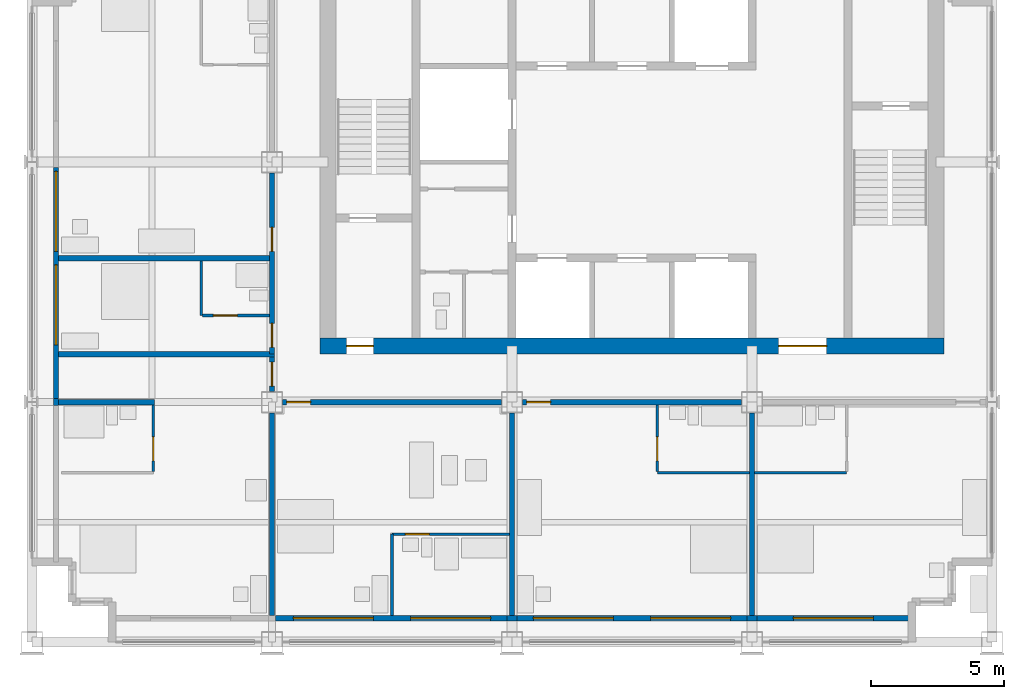
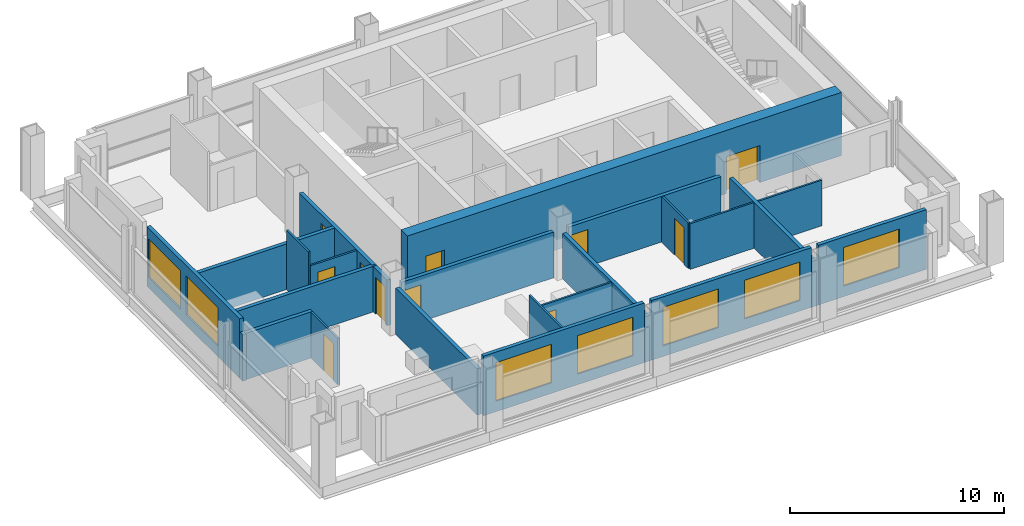
# One storey, part 6 of 11: 26 walls, 11 doors, 7 windows, 18 openings.
"""IFC4 building model written with IfcOpenShell, lengths in metres."""

import ifcopenshell
import ifcopenshell.guid

model = None  # the IFC model being written
_history = None  # IfcOwnerHistory: only IFC2X3 demands one
_inside = {}  # id of a spatial element -> (the spatial element, [elements in it])
_under = {}  # id of a project, library or spatial element -> (it, [spatial elements below it])
_declared = {}  # id of a project -> (the project, [libraries it declares])
_typed = {}  # id of a type object -> (the type object, [elements of that type])
_made_of = {}  # id of a material, layer set ... -> (it, [elements and type objects made of it])


def new_model(schema):
    """Start an empty IFC model of exactly this schema.

    Asked for "IFC4X3", IfcOpenShell would pick the latest addendum, in which some entities
    have other attributes; the version numbers below select the first issue.
    IFC2X3 requires an IfcOwnerHistory on every rooted entity: one is made here for all.
    """
    global model, _history
    if schema == "IFC4X3":
        model = ifcopenshell.file(schema_version=(4, 3, 0, 0))
    else:
        model = ifcopenshell.file(schema=schema)
    _inside.clear()
    _under.clear()
    _declared.clear()
    _typed.clear()
    _made_of.clear()
    _history = None
    if model.schema == "IFC2X3":
        org = make("IfcOrganization", Name="unknown")
        user = make(
            "IfcPersonAndOrganization",
            ThePerson=make("IfcPerson", FamilyName="unknown"),
            TheOrganization=org,
        )
        app = make(
            "IfcApplication",
            ApplicationDeveloper=org,
            Version="unknown",
            ApplicationFullName="unknown",
            ApplicationIdentifier="unknown",
        )
        _history = make(
            "IfcOwnerHistory",
            OwningUser=user,
            OwningApplication=app,
            ChangeAction="ADDED",
            CreationDate=0,
        )
    return model


def make(cls, **values):
    """One entity of the class cls with the attributes given. An attribute that is None is left unset."""
    return model.create_entity(
        cls, **{name: value for name, value in values.items() if value is not None}
    )


def rooted(cls, **values):
    """An entity with a GlobalId (a new one), such as an element, a storey or a relation."""
    return make(cls, GlobalId=ifcopenshell.guid.new(), OwnerHistory=_history, **values)


def si_unit(unit_type, name, prefix=None):
    """IfcSIUnit, for example si_unit("LENGTHUNIT", "METRE", prefix="MILLI")."""
    return make("IfcSIUnit", UnitType=unit_type, Prefix=prefix, Name=name)


def assignment(units):
    """IfcUnitAssignment: the units of a project."""
    return None if units is None else make("IfcUnitAssignment", Units=units)


def point(xyz):
    """IfcCartesianPoint."""
    return None if xyz is None else make("IfcCartesianPoint", Coordinates=xyz)


def direction(xyz):
    """IfcDirection."""
    return None if xyz is None else make("IfcDirection", DirectionRatios=xyz)


def frame(location, z_axis=None, x_axis=None):
    """IfcAxis2Placement3D, a coordinate frame: its origin and axes. An axis left out is left unset."""
    return make(
        "IfcAxis2Placement3D",
        Location=point(location),
        Axis=direction(z_axis),
        RefDirection=direction(x_axis),
    )


def frame_2d(location, x_axis=None):
    """IfcAxis2Placement2D, a coordinate frame in the plane: its origin and x axis."""
    return make(
        "IfcAxis2Placement2D", Location=point(location), RefDirection=direction(x_axis)
    )


def origin():
    """The frame at (0, 0, 0) with its axes left unset."""
    return frame((0.0, 0.0, 0.0))


def place(relative_to, where):
    """IfcLocalPlacement: puts the frame where relative to a parent placement (None: the world)."""
    return make(
        "IfcLocalPlacement", PlacementRelTo=relative_to, RelativePlacement=where
    )


def context(
    kind, dimensions, precision=None, world=None, true_north=None, identifier=None
):
    """IfcGeometricRepresentationContext, for example the 3D "Model" context."""
    return make(
        "IfcGeometricRepresentationContext",
        ContextIdentifier=identifier,
        ContextType=kind,
        CoordinateSpaceDimension=dimensions,
        Precision=precision,
        WorldCoordinateSystem=world,
        TrueNorth=true_north,
    )


def subcontext(parent, identifier, kind, view, scale=None):
    """IfcGeometricRepresentationSubContext, for example "Body" below "Model"."""
    return make(
        "IfcGeometricRepresentationSubContext",
        ContextIdentifier=identifier,
        ContextType=kind,
        ParentContext=parent,
        TargetScale=scale,
        TargetView=view,
    )


def project(units=None, contexts=None):
    """IfcProject with its units and contexts."""
    return rooted(
        "IfcProject",
        Name="project",
        RepresentationContexts=contexts,
        UnitsInContext=assignment(units),
    )


def spatial(cls, under=None, at=None, **own):
    """A site, building, storey or space (cls), placed at a placement, below another one or the project."""
    s = rooted(cls, ObjectPlacement=at, **own)
    if under is not None:
        _under.setdefault(under.id(), (under, []))[1].append(s)
    return s


def profile(cls, at=None, kind="AREA", **sizes):
    """A parametric profile (cls). Its sizes go by their IFC names, for example OverallWidth=200.0."""
    return make(cls, ProfileType=kind, Position=at, **sizes)


def rectangle(**sizes):
    """IfcRectangleProfileDef."""
    return profile("IfcRectangleProfileDef", **sizes)


def extrude(swept, where, along, depth):
    """IfcExtrudedAreaSolid: the profile swept, set in the frame where, extruded along a direction by depth."""
    return make(
        "IfcExtrudedAreaSolid",
        SweptArea=swept,
        Position=where,
        ExtrudedDirection=direction(along),
        Depth=depth,
    )


def shape(context_of_items, identifier, shape_type, items):
    """IfcShapeRepresentation: the items that make up one representation, for example the "Body"."""
    return make(
        "IfcShapeRepresentation",
        ContextOfItems=context_of_items,
        RepresentationIdentifier=identifier,
        RepresentationType=shape_type,
        Items=items,
    )


def material(Name=None, Category=None):
    """IfcMaterial."""
    return make("IfcMaterial", Name=Name, Category=Category)


def layer(
    of_material, thickness, ventilated=None, Name=None, Category=None, Priority=None
):
    """IfcMaterialLayer: one layer of a wall or slab, of a material (None: an air gap)."""
    return make(
        "IfcMaterialLayer",
        Material=of_material,
        LayerThickness=thickness,
        IsVentilated=ventilated,
        Name=Name,
        Category=Category,
        Priority=Priority,
    )


def layer_set(layers, Name=None):
    """IfcMaterialLayerSet."""
    return make("IfcMaterialLayerSet", MaterialLayers=layers, LayerSetName=Name)


def made_of(thing, what):
    """Note that an element or type object is made of a material, layer set ...; save() writes the relation."""
    if what is not None:
        _made_of.setdefault(what.id(), (what, []))[1].append(thing)
    return thing


def type_object(cls, material=None, **own):
    """A type object (cls), such as IfcWallType, which elements share."""
    return made_of(rooted(cls, **own), material)


def element(
    cls,
    number,
    at=None,
    inside=None,
    cuts=None,
    type_object=None,
    material=None,
    context=None,
    identifier="Body",
    shape_type=None,
    held_by="IfcProductDefinitionShape",
    body=None,
    shapes=None,
    **own,
):
    """One element of the class cls, such as IfcWall. Its Tag is "e" and its number.

    at: its placement. inside: the storey or other place that contains it. cuts: it is an
    opening in that element (IfcRelVoidsElement). A single representation is given by context,
    identifier, shape_type and body (its items); several are given by shapes. held_by: the class
    of the entity that holds the representations. save() writes the other relations.
    """
    e = rooted(cls, Tag="e%d" % number, ObjectPlacement=at, **own)
    if body is not None:
        shapes = [shape(context, identifier, shape_type, body)]
    if shapes is not None:
        e.Representation = make(held_by, Representations=shapes)
    if inside is not None:
        _inside.setdefault(inside.id(), (inside, []))[1].append(e)
    if cuts is not None:
        rooted(
            "IfcRelVoidsElement", RelatingBuildingElement=cuts, RelatedOpeningElement=e
        )
    if type_object is not None:
        _typed.setdefault(type_object.id(), (type_object, []))[1].append(e)
    return made_of(e, material)


def fill(opening, filler):
    """IfcRelFillsElement: the door or window that sits in an opening."""
    return rooted(
        "IfcRelFillsElement",
        RelatingOpeningElement=opening,
        RelatedBuildingElement=filler,
    )


def aggregate(whole, parts):
    """IfcRelAggregates: a whole, such as a stair, and the parts it consists of."""
    return rooted("IfcRelAggregates", RelatingObject=whole, RelatedObjects=parts)


def save(model, path):
    """Write the relations noted so far, then the file.

    IfcRelAggregates (storeys below a building ...), IfcRelContainedInSpatialStructure (elements
    in a storey), IfcRelDefinesByType, IfcRelAssociatesMaterial and IfcRelDeclares: one each for
    every whole, place, type object, material and project.
    """
    for whole, parts in _under.values():
        aggregate(whole, parts)
    for where, things in _inside.values():
        rooted(
            "IfcRelContainedInSpatialStructure",
            RelatedElements=things,
            RelatingStructure=where,
        )
    for kind, things in _typed.values():
        rooted("IfcRelDefinesByType", RelatedObjects=things, RelatingType=kind)
    for what, things in _made_of.values():
        rooted("IfcRelAssociatesMaterial", RelatedObjects=things, RelatingMaterial=what)
    for by, libraries in _declared.values():
        rooted("IfcRelDeclares", RelatingContext=by, RelatedDefinitions=libraries)
    model.write(path)


model = new_model("IFC4")

# Units and contexts
model_context = context("Model", 3, precision=1e-05, world=origin(), true_north=direction((0.0, 1.0)))
body_context = subcontext(model_context, "Body", "Model", "MODEL_VIEW")
ifc_project = project(units=[si_unit("LENGTHUNIT", "METRE"), si_unit("AREAUNIT", "SQUARE_METRE"), si_unit("VOLUMEUNIT", "CUBIC_METRE"), si_unit("PLANEANGLEUNIT", "RADIAN"), si_unit("MASSUNIT", "GRAM", prefix="KILO")], contexts=[model_context])

# Site, building, storey
site_placement = place(None, origin())
site = spatial("IfcSite", under=ifc_project, at=site_placement, CompositionType="ELEMENT")
building_placement = place(site_placement, origin())
building = spatial("IfcBuilding", under=site, at=building_placement, Name="Loomwork Tower", CompositionType="ELEMENT")
storey_placement = place(building_placement, frame((0.0, 0.0, 248.199951171875)))
storey = spatial("IfcBuildingStorey", under=building, at=storey_placement, Name="L68", CompositionType="ELEMENT", Elevation=248.199951171875)

# Wall, openings, doors
ifc_material_1 = material(Name="Concrete 14000 psi (97 MPa)", Category="concrete")
ifc_layer_1 = layer(ifc_material_1, 0.60009765625)
ifc_layer_set_1 = layer_set([ifc_layer_1], Name="Core shear wall 600")
wall_type_1 = type_object("IfcWallType", Name="Core shear wall 600", PredefinedType="SHEAR", material=ifc_layer_set_1)
wall_1_placement = place(storey_placement, frame((10.800048828125, 11.10009765625, 0.0), z_axis=(0.0, 0.0, 1.0), x_axis=(1.0, 0.0, 0.0)))
wall_1 = element("IfcWall", 1, at=wall_1_placement, inside=storey, type_object=wall_type_1, Name="Core wall south L68", PredefinedType="SHEAR", context=body_context, shape_type="SweptSolid", body=[
    extrude(rectangle(XDim=23.39990234375, YDim=0.60009765625, at=frame_2d((11.699951171875, 0.0))), origin(), (0.0, 0.0, 1.0), 3.60009765625),
])
opening_1_placement = place(wall_1_placement, frame((1.0, 0.0, 0.0)))
opening_1 = element("IfcOpeningElement", 2, at=opening_1_placement, cuts=wall_1, Name="Opening D4", PredefinedType="OPENING", context=body_context, shape_type="SweptSolid", body=[
    extrude(rectangle(XDim=1.0, YDim=2.10009765625, at=frame_2d((0.5, 1.050048828125))), frame((0.0, 0.31005859375, 0.0), z_axis=(0.0, -1.0, 0.0), x_axis=(1.0, 0.0, 0.0)), (0.0, 0.0, 1.0), 0.6201171875),
])
opening_2_placement = place(wall_1_placement, frame((17.199951171875, 0.0, 0.0)))
opening_2 = element("IfcOpeningElement", 3, at=opening_2_placement, cuts=wall_1, Name="Opening D6", PredefinedType="OPENING", context=body_context, shape_type="SweptSolid", body=[
    extrude(rectangle(XDim=1.800048828125, YDim=2.10009765625, at=frame_2d((0.89990234375, 1.050048828125))), frame((0.0, 0.31005859375, 0.0), z_axis=(0.0, -1.0, 0.0), x_axis=(1.0, 0.0, 0.0)), (0.0, 0.0, 1.0), 0.6201171875),
])
ifc_material_2 = material(Name="Hollow metal door and frame")
door_type_1 = type_object("IfcDoorType", Name="Lobby passage double door 1800", OperationType="DOUBLE_DOOR_SINGLE_SWING", PredefinedType="DOOR", material=ifc_material_2)
door_1_placement = place(opening_2_placement, origin())
door_1 = element("IfcDoor", 4, at=door_1_placement, inside=storey, type_object=door_type_1, Name="Lobby passage door south", OperationType="DOUBLE_DOOR_SINGLE_SWING", OverallHeight=2.10009765625, OverallWidth=1.800048828125, PredefinedType="DOOR", context=body_context, shape_type="SweptSolid", body=[
    extrude(rectangle(XDim=1.800048828125, YDim=2.10009765625, at=frame_2d((0.89990234375, 1.050048828125))), frame((0.0, 0.02490234375, 0.0), z_axis=(0.0, -1.0, 0.0), x_axis=(1.0, 0.0, 0.0)), (0.0, 0.0, 1.0), 0.050048828125),
])
fill(opening_2, door_1)
ifc_material_3 = material(Name="Hollow metal door and frame")
door_type_2 = type_object("IfcDoorType", Name="Stair door 1000", OperationType="SINGLE_SWING_RIGHT", PredefinedType="DOOR", material=ifc_material_3)
door_2_placement = place(opening_1_placement, origin())
door_2 = element("IfcDoor", 5, at=door_2_placement, inside=storey, type_object=door_type_2, Name="Stair A vestibule door", OperationType="SINGLE_SWING_LEFT", OverallHeight=2.10009765625, OverallWidth=1.0, PredefinedType="DOOR", context=body_context, shape_type="SweptSolid", body=[
    extrude(rectangle(XDim=1.0, YDim=2.10009765625, at=frame_2d((0.5, 1.050048828125))), frame((0.0, 0.02490234375, 0.0), z_axis=(0.0, -1.0, 0.0), x_axis=(1.0, 0.0, 0.0)), (0.0, 0.0, 1.0), 0.050048828125),
])
fill(opening_1, door_2)

# Wall
ifc_material_4 = material(Name="Gypsum board on steel studs, one-hour", Category="steel")
ifc_layer_2 = layer(ifc_material_4, 0.199951171875)
ifc_layer_set_2 = layer_set([ifc_layer_2], Name="Corridor wall 200")
wall_type_2 = type_object("IfcWallType", Name="Corridor wall 200", PredefinedType="PARTITIONING", material=ifc_layer_set_2)
wall_2_placement = place(storey_placement, frame((1.0, 9.0, 0.0), z_axis=(0.0, 0.0, 1.0), x_axis=(1.0, 0.0, 0.0)))
element("IfcWall", 6, at=wall_2_placement, inside=storey, type_object=wall_type_2, Name="South corridor wall 1", PredefinedType="PARTITIONING", context=body_context, shape_type="SweptSolid", body=[
    extrude(rectangle(XDim=3.60009765625, YDim=0.199951171875, at=frame_2d((1.800048828125, 0.0))), origin(), (0.0, 0.0, 1.0), 2.637939453125),
])

# Wall, opening, door
wall_3_placement = place(storey_placement, frame((9.39990234375, 9.0, 0.0), z_axis=(0.0, 0.0, 1.0), x_axis=(1.0, 0.0, 0.0)))
wall_3 = element("IfcWall", 7, at=wall_3_placement, inside=storey, type_object=wall_type_2, Name="South corridor wall 2", PredefinedType="PARTITIONING", context=body_context, shape_type="SweptSolid", body=[
    extrude(rectangle(XDim=8.2001953125, YDim=0.199951171875, at=frame_2d((4.10009765625, 0.0))), origin(), (0.0, 0.0, 1.0), 2.60498046875),
])
opening_3_placement = place(wall_3_placement, frame((0.14990234375, 0.0, 0.0)))
opening_3 = element("IfcOpeningElement", 8, at=opening_3_placement, cuts=wall_3, Name="Opening D1", PredefinedType="OPENING", context=body_context, shape_type="SweptSolid", body=[
    extrude(rectangle(XDim=0.89990234375, YDim=2.10009765625, at=frame_2d((0.449951171875, 1.050048828125))), frame((0.0, 0.10986328125, 0.0), z_axis=(0.0, -1.0, 0.0), x_axis=(1.0, 0.0, 0.0)), (0.0, 0.0, 1.0), 0.219970703125),
])
ifc_material_5 = material(Name="Hollow metal door and frame")
door_type_3 = type_object("IfcDoorType", Name="Guest room entry door 900", OperationType="SINGLE_SWING_LEFT", PredefinedType="DOOR", material=ifc_material_5)
door_3_placement = place(opening_3_placement, frame((0.89990234375, 0.0, 0.0), z_axis=(0.0, 0.0, 1.0), x_axis=(-1.0, 0.0, 0.0)))
door_3 = element("IfcDoor", 9, at=door_3_placement, inside=storey, type_object=door_type_3, Name="Guest room entry door L68 2", OperationType="SINGLE_SWING_RIGHT", OverallHeight=2.10009765625, OverallWidth=0.89990234375, PredefinedType="DOOR", context=body_context, shape_type="SweptSolid", body=[
    extrude(rectangle(XDim=0.89990234375, YDim=2.10009765625, at=frame_2d((0.449951171875, 1.050048828125))), frame((0.0, 0.02490234375, 0.0), z_axis=(0.0, -1.0, 0.0), x_axis=(1.0, 0.0, 0.0)), (0.0, 0.0, 1.0), 0.050048828125),
])
fill(opening_3, door_3)

wall_4_placement = place(storey_placement, frame((18.39990234375, 9.0, 0.0), z_axis=(0.0, 0.0, 1.0), x_axis=(1.0, 0.0, 0.0)))
wall_4 = element("IfcWall", 10, at=wall_4_placement, inside=storey, type_object=wall_type_2, Name="South corridor wall 3", PredefinedType="PARTITIONING", context=body_context, shape_type="SweptSolid", body=[
    extrude(rectangle(XDim=8.2001953125, YDim=0.199951171875, at=frame_2d((4.10009765625, 0.0))), origin(), (0.0, 0.0, 1.0), 2.60498046875),
])
opening_4_placement = place(wall_4_placement, frame((0.14990234375, 0.0, 0.0)))
opening_4 = element("IfcOpeningElement", 11, at=opening_4_placement, cuts=wall_4, Name="Opening D1", PredefinedType="OPENING", context=body_context, shape_type="SweptSolid", body=[
    extrude(rectangle(XDim=0.89990234375, YDim=2.10009765625, at=frame_2d((0.449951171875, 1.050048828125))), frame((0.0, 0.10986328125, 0.0), z_axis=(0.0, -1.0, 0.0), x_axis=(1.0, 0.0, 0.0)), (0.0, 0.0, 1.0), 0.219970703125),
])
door_4_placement = place(opening_4_placement, frame((0.89990234375, 0.0, 0.0), z_axis=(0.0, 0.0, 1.0), x_axis=(-1.0, 0.0, 0.0)))
door_4 = element("IfcDoor", 12, at=door_4_placement, inside=storey, type_object=door_type_3, Name="Guest room entry door L68 3", OperationType="SINGLE_SWING_RIGHT", OverallHeight=2.10009765625, OverallWidth=0.89990234375, PredefinedType="DOOR", context=body_context, shape_type="SweptSolid", body=[
    extrude(rectangle(XDim=0.89990234375, YDim=2.10009765625, at=frame_2d((0.449951171875, 1.050048828125))), frame((0.0, 0.02490234375, 0.0), z_axis=(0.0, -1.0, 0.0), x_axis=(1.0, 0.0, 0.0)), (0.0, 0.0, 1.0), 0.050048828125),
])
fill(opening_4, door_4)

# Wall, openings, doors
wall_5_placement = place(storey_placement, frame((9.0, 10.800048828125, 0.0), z_axis=(0.0, 0.0, 1.0), x_axis=(0.0, 1.0, 0.0)))
wall_5 = element("IfcWall", 13, at=wall_5_placement, inside=storey, type_object=wall_type_2, Name="West corridor wall 1", PredefinedType="PARTITIONING", context=body_context, shape_type="SweptSolid", body=[
    extrude(rectangle(XDim=6.800048828125, YDim=0.199951171875, at=frame_2d((3.39990234375, 0.0))), origin(), (0.0, 0.0, 1.0), 2.60498046875),
])
opening_5_placement = place(wall_5_placement, frame((0.25, 0.0, 0.0)))
opening_5 = element("IfcOpeningElement", 14, at=opening_5_placement, cuts=wall_5, Name="Opening D1", PredefinedType="OPENING", context=body_context, shape_type="SweptSolid", body=[
    extrude(rectangle(XDim=0.89990234375, YDim=2.10009765625, at=frame_2d((0.449951171875, 1.050048828125))), frame((0.0, 0.10986328125, 0.0), z_axis=(0.0, -1.0, 0.0), x_axis=(1.0, 0.0, 0.0)), (0.0, 0.0, 1.0), 0.219970703125),
])
opening_6_placement = place(wall_5_placement, frame((3.85009765625, 0.0, 0.0)))
opening_6 = element("IfcOpeningElement", 15, at=opening_6_placement, cuts=wall_5, Name="Opening D1", PredefinedType="OPENING", context=body_context, shape_type="SweptSolid", body=[
    extrude(rectangle(XDim=0.89990234375, YDim=2.10009765625, at=frame_2d((0.449951171875, 1.050048828125))), frame((0.0, 0.10986328125, 0.0), z_axis=(0.0, -1.0, 0.0), x_axis=(1.0, 0.0, 0.0)), (0.0, 0.0, 1.0), 0.219970703125),
])
door_5_placement = place(opening_5_placement, origin())
door_5 = element("IfcDoor", 16, at=door_5_placement, inside=storey, type_object=door_type_3, Name="Guest room entry door L68 5", OperationType="SINGLE_SWING_LEFT", OverallHeight=2.10009765625, OverallWidth=0.89990234375, PredefinedType="DOOR", context=body_context, shape_type="SweptSolid", body=[
    extrude(rectangle(XDim=0.89990234375, YDim=2.10009765625, at=frame_2d((0.449951171875, 1.050048828125))), frame((0.0, 0.02490234375, 0.0), z_axis=(0.0, -1.0, 0.0), x_axis=(1.0, 0.0, 0.0)), (0.0, 0.0, 1.0), 0.050048828125),
])
fill(opening_5, door_5)
door_6_placement = place(opening_6_placement, origin())
door_6 = element("IfcDoor", 17, at=door_6_placement, inside=storey, type_object=door_type_3, Name="Guest room entry door L68 6", OperationType="SINGLE_SWING_LEFT", OverallHeight=2.10009765625, OverallWidth=0.89990234375, PredefinedType="DOOR", context=body_context, shape_type="SweptSolid", body=[
    extrude(rectangle(XDim=0.89990234375, YDim=2.10009765625, at=frame_2d((0.449951171875, 1.050048828125))), frame((0.0, 0.02490234375, 0.0), z_axis=(0.0, -1.0, 0.0), x_axis=(1.0, 0.0, 0.0)), (0.0, 0.0, 1.0), 0.050048828125),
])
fill(opening_6, door_6)

# Wall
wall_6_placement = place(storey_placement, frame((1.0, 10.800048828125, 0.0), z_axis=(0.0, 0.0, 1.0), x_axis=(1.0, 0.0, 0.0)))
element("IfcWall", 18, at=wall_6_placement, inside=storey, type_object=wall_type_2, Name="West band end wall S", PredefinedType="PARTITIONING", context=body_context, shape_type="SweptSolid", body=[
    extrude(rectangle(XDim=8.10009765625, YDim=0.199951171875, at=frame_2d((4.050048828125, 0.0))), origin(), (0.0, 0.0, 1.0), 2.60400390625),
])

# Wall, opening, door
wall_7_placement = place(storey_placement, frame((9.0, 9.39990234375, 0.0), z_axis=(0.0, 0.0, 1.0), x_axis=(0.0, 1.0, 0.0)))
wall_7 = element("IfcWall", 19, at=wall_7_placement, inside=storey, type_object=wall_type_2, Name="Corner suite foyer wall", PredefinedType="PARTITIONING", context=body_context, shape_type="SweptSolid", body=[
    extrude(rectangle(XDim=1.300048828125, YDim=0.199951171875, at=frame_2d((0.64990234375, 0.0))), origin(), (0.0, 0.0, 1.0), 2.60498046875),
])
opening_7_placement = place(wall_7_placement, frame((0.199951171875, 0.0, 0.0)))
opening_7 = element("IfcOpeningElement", 20, at=opening_7_placement, cuts=wall_7, Name="Opening D1", PredefinedType="OPENING", context=body_context, shape_type="SweptSolid", body=[
    extrude(rectangle(XDim=0.89990234375, YDim=2.10009765625, at=frame_2d((0.449951171875, 1.050048828125))), frame((0.0, 0.10986328125, 0.0), z_axis=(0.0, -1.0, 0.0), x_axis=(1.0, 0.0, 0.0)), (0.0, 0.0, 1.0), 0.219970703125),
])
door_7_placement = place(opening_7_placement, origin())
door_7 = element("IfcDoor", 21, at=door_7_placement, inside=storey, type_object=door_type_3, Name="Guest room entry door L68 1", OperationType="SINGLE_SWING_RIGHT", OverallHeight=2.10009765625, OverallWidth=0.89990234375, PredefinedType="DOOR", context=body_context, shape_type="SweptSolid", body=[
    extrude(rectangle(XDim=0.89990234375, YDim=2.10009765625, at=frame_2d((0.449951171875, 1.050048828125))), frame((0.0, 0.02490234375, 0.0), z_axis=(0.0, -1.0, 0.0), x_axis=(1.0, 0.0, 0.0)), (0.0, 0.0, 1.0), 0.050048828125),
])
fill(opening_7, door_7)

ifc_material_6 = material(Name="Cement board on steel studs", Category="steel")
ifc_layer_3 = layer(ifc_material_6, 0.10009765625)
ifc_layer_set_3 = layer_set([ifc_layer_3], Name="En-suite partition 100")
wall_type_3 = type_object("IfcWallType", Name="En-suite partition 100", PredefinedType="PARTITIONING", material=ifc_layer_set_3)
wall_8_placement = place(storey_placement, frame((4.550048828125, 8.89990234375, 0.0), z_axis=(0.0, 0.0, 1.0), x_axis=(0.0, -1.0, 0.0)))
wall_8 = element("IfcWall", 22, at=wall_8_placement, inside=storey, type_object=wall_type_3, Name="En-suite side wall L68 room 1", PredefinedType="PARTITIONING", context=body_context, shape_type="SweptSolid", body=[
    extrude(rectangle(XDim=2.5, YDim=0.10009765625, at=frame_2d((1.25, 0.0))), origin(), (0.0, 0.0, 1.0), 2.637939453125),
])
opening_8_placement = place(wall_8_placement, frame((1.199951171875, 0.0, 0.0)))
opening_8 = element("IfcOpeningElement", 23, at=opening_8_placement, cuts=wall_8, Name="Opening D3", PredefinedType="OPENING", context=body_context, shape_type="SweptSolid", body=[
    extrude(rectangle(XDim=0.89990234375, YDim=2.10009765625, at=frame_2d((0.449951171875, 1.050048828125))), frame((0.0, 0.06005859375, 0.0), z_axis=(0.0, -1.0, 0.0), x_axis=(1.0, 0.0, 0.0)), (0.0, 0.0, 1.0), 0.1201171875),
])
ifc_material_7 = material(Name="Hollow metal door and frame")
door_type_4 = type_object("IfcDoorType", Name="Accessible en-suite door 900", OperationType="SLIDING_TO_LEFT", PredefinedType="DOOR", material=ifc_material_7)
door_8_placement = place(opening_8_placement, origin())
door_8 = element("IfcDoor", 24, at=door_8_placement, inside=storey, type_object=door_type_4, Name="Accessible en-suite door room 1", OperationType="SLIDING_TO_LEFT", OverallHeight=2.10009765625, OverallWidth=0.89990234375, PredefinedType="DOOR", context=body_context, shape_type="SweptSolid", body=[
    extrude(rectangle(XDim=0.89990234375, YDim=2.10009765625, at=frame_2d((0.449951171875, 1.050048828125))), frame((0.0, 0.02490234375, 0.0), z_axis=(0.0, -1.0, 0.0), x_axis=(1.0, 0.0, 0.0)), (0.0, 0.0, 1.0), 0.050048828125),
])
fill(opening_8, door_8)

wall_9_placement = place(storey_placement, frame((13.5, 4.050048828125, 0.0), z_axis=(0.0, 0.0, 1.0), x_axis=(1.0, 0.0, 0.0)))
wall_9 = element("IfcWall", 25, at=wall_9_placement, inside=storey, type_object=wall_type_3, Name="Spa bathroom wall L68 room 2", PredefinedType="PARTITIONING", context=body_context, shape_type="SweptSolid", body=[
    extrude(rectangle(XDim=4.39990234375, YDim=0.10009765625, at=frame_2d((2.199951171875, 0.0))), origin(), (0.0, 0.0, 1.0), 2.60400390625),
])
opening_9_placement = place(wall_9_placement, frame((0.5, 0.0, 0.0)))
opening_9 = element("IfcOpeningElement", 26, at=opening_9_placement, cuts=wall_9, Name="Opening D2", PredefinedType="OPENING", context=body_context, shape_type="SweptSolid", body=[
    extrude(rectangle(XDim=0.89990234375, YDim=2.10009765625, at=frame_2d((0.449951171875, 1.050048828125))), frame((0.0, 0.06005859375, 0.0), z_axis=(0.0, -1.0, 0.0), x_axis=(1.0, 0.0, 0.0)), (0.0, 0.0, 1.0), 0.1201171875),
])
ifc_material_8 = material(Name="Hollow metal door and frame")
door_type_5 = type_object("IfcDoorType", Name="En-suite door 900", OperationType="SINGLE_SWING_LEFT", PredefinedType="DOOR", material=ifc_material_8)
door_9_placement = place(opening_9_placement, frame((0.89990234375, 0.0, 0.0), z_axis=(0.0, 0.0, 1.0), x_axis=(-1.0, 0.0, 0.0)))
door_9 = element("IfcDoor", 27, at=door_9_placement, inside=storey, type_object=door_type_5, Name="Spa bathroom door room 2", OperationType="SINGLE_SWING_RIGHT", OverallHeight=2.10009765625, OverallWidth=0.89990234375, PredefinedType="DOOR", context=body_context, shape_type="SweptSolid", body=[
    extrude(rectangle(XDim=0.89990234375, YDim=2.10009765625, at=frame_2d((0.449951171875, 1.050048828125))), frame((0.0, 0.02490234375, 0.0), z_axis=(0.0, -1.0, 0.0), x_axis=(1.0, 0.0, 0.0)), (0.0, 0.0, 1.0), 0.050048828125),
])
fill(opening_9, door_9)

# Walls
wall_10_placement = place(storey_placement, frame((13.5, 4.050048828125, 0.0), z_axis=(0.0, 0.0, 1.0), x_axis=(0.0, -1.0, 0.0)))
element("IfcWall", 28, at=wall_10_placement, inside=storey, type_object=wall_type_3, Name="Spa bathroom side wall L68 room 2", PredefinedType="PARTITIONING", context=body_context, shape_type="SweptSolid", body=[
    extrude(rectangle(XDim=3.050048828125, YDim=0.10009765625, at=frame_2d((1.52490234375, 0.0))), origin(), (0.0, 0.0, 1.0), 3.400146484375),
])
wall_11_placement = place(storey_placement, frame((23.449951171875, 6.35009765625, 0.0), z_axis=(0.0, 0.0, 1.0), x_axis=(1.0, 0.0, 0.0)))
element("IfcWall", 29, at=wall_11_placement, inside=storey, type_object=wall_type_3, Name="En-suite wall L68 room 3", PredefinedType="PARTITIONING", context=body_context, shape_type="SweptSolid", body=[
    extrude(rectangle(XDim=3.449951171875, YDim=0.10009765625, at=frame_2d((1.72509765625, 0.0))), origin(), (0.0, 0.0, 1.0), 2.60400390625),
])

# Wall, opening, door
wall_12_placement = place(storey_placement, frame((23.449951171875, 8.89990234375, 0.0), z_axis=(0.0, 0.0, 1.0), x_axis=(0.0, -1.0, 0.0)))
wall_12 = element("IfcWall", 30, at=wall_12_placement, inside=storey, type_object=wall_type_3, Name="En-suite side wall L68 room 3", PredefinedType="PARTITIONING", context=body_context, shape_type="SweptSolid", body=[
    extrude(rectangle(XDim=2.5, YDim=0.10009765625, at=frame_2d((1.25, 0.0))), origin(), (0.0, 0.0, 1.0), 2.60400390625),
])
opening_10_placement = place(wall_12_placement, frame((1.199951171875, 0.0, 0.0)))
opening_10 = element("IfcOpeningElement", 31, at=opening_10_placement, cuts=wall_12, Name="Opening D2", PredefinedType="OPENING", context=body_context, shape_type="SweptSolid", body=[
    extrude(rectangle(XDim=0.89990234375, YDim=2.10009765625, at=frame_2d((0.449951171875, 1.050048828125))), frame((0.0, 0.06005859375, 0.0), z_axis=(0.0, -1.0, 0.0), x_axis=(1.0, 0.0, 0.0)), (0.0, 0.0, 1.0), 0.1201171875),
])
door_10_placement = place(opening_10_placement, origin())
door_10 = element("IfcDoor", 32, at=door_10_placement, inside=storey, type_object=door_type_5, Name="En-suite door room 3", OperationType="SINGLE_SWING_RIGHT", OverallHeight=2.10009765625, OverallWidth=0.89990234375, PredefinedType="DOOR", context=body_context, shape_type="SweptSolid", body=[
    extrude(rectangle(XDim=0.89990234375, YDim=2.10009765625, at=frame_2d((0.449951171875, 1.050048828125))), frame((0.0, 0.02490234375, 0.0), z_axis=(0.0, -1.0, 0.0), x_axis=(1.0, 0.0, 0.0)), (0.0, 0.0, 1.0), 0.050048828125),
])
fill(opening_10, door_10)

# Walls
wall_13_placement = place(storey_placement, frame((27.10009765625, 6.35009765625, 0.0), z_axis=(0.0, 0.0, 1.0), x_axis=(1.0, 0.0, 0.0)))
element("IfcWall", 33, at=wall_13_placement, inside=storey, type_object=wall_type_3, Name="En-suite wall L68 room 4", PredefinedType="PARTITIONING", context=body_context, shape_type="SweptSolid", body=[
    extrude(rectangle(XDim=3.449951171875, YDim=0.10009765625, at=frame_2d((1.72509765625, 0.0))), origin(), (0.0, 0.0, 1.0), 2.60400390625),
])
wall_14_placement = place(storey_placement, frame((6.35009765625, 12.25, 0.0), z_axis=(0.0, 0.0, 1.0), x_axis=(0.0, 1.0, 0.0)))
element("IfcWall", 34, at=wall_14_placement, inside=storey, type_object=wall_type_3, Name="En-suite wall L68 room 5", PredefinedType="PARTITIONING", context=body_context, shape_type="SweptSolid", body=[
    extrude(rectangle(XDim=2.050048828125, YDim=0.10009765625, at=frame_2d((1.02490234375, 0.0))), origin(), (0.0, 0.0, 1.0), 3.400146484375),
])

# Wall, opening, door
wall_15_placement = place(storey_placement, frame((8.89990234375, 12.25, 0.0), z_axis=(0.0, 0.0, 1.0), x_axis=(-1.0, 0.0, 0.0)))
wall_15 = element("IfcWall", 35, at=wall_15_placement, inside=storey, type_object=wall_type_3, Name="En-suite side wall L68 room 5", PredefinedType="PARTITIONING", context=body_context, shape_type="SweptSolid", body=[
    extrude(rectangle(XDim=2.5, YDim=0.10009765625, at=frame_2d((1.25, 0.0))), origin(), (0.0, 0.0, 1.0), 2.60400390625),
])
opening_11_placement = place(wall_15_placement, frame((1.199951171875, 0.0, 0.0)))
opening_11 = element("IfcOpeningElement", 36, at=opening_11_placement, cuts=wall_15, Name="Opening D2", PredefinedType="OPENING", context=body_context, shape_type="SweptSolid", body=[
    extrude(rectangle(XDim=0.89990234375, YDim=2.10009765625, at=frame_2d((0.449951171875, 1.050048828125))), frame((0.0, 0.06005859375, 0.0), z_axis=(0.0, -1.0, 0.0), x_axis=(1.0, 0.0, 0.0)), (0.0, 0.0, 1.0), 0.1201171875),
])
door_11_placement = place(opening_11_placement, frame((0.89990234375, 0.0, 0.0), z_axis=(0.0, 0.0, 1.0), x_axis=(-1.0, 0.0, 0.0)))
door_11 = element("IfcDoor", 37, at=door_11_placement, inside=storey, type_object=door_type_5, Name="En-suite door room 5", OperationType="SINGLE_SWING_LEFT", OverallHeight=2.10009765625, OverallWidth=0.89990234375, PredefinedType="DOOR", context=body_context, shape_type="SweptSolid", body=[
    extrude(rectangle(XDim=0.89990234375, YDim=2.10009765625, at=frame_2d((0.449951171875, 1.050048828125))), frame((0.0, 0.02490234375, 0.0), z_axis=(0.0, -1.0, 0.0), x_axis=(1.0, 0.0, 0.0)), (0.0, 0.0, 1.0), 0.050048828125),
])
fill(opening_11, door_11)

# Walls
ifc_material_9 = material(Name="Gypsum board on steel studs, acoustic", Category="steel")
ifc_layer_4 = layer(ifc_material_9, 0.199951171875)
ifc_layer_set_4 = layer_set([ifc_layer_4], Name="Guest room party wall 200")
wall_type_4 = type_object("IfcWallType", Name="Guest room party wall 200", PredefinedType="PARTITIONING", material=ifc_layer_set_4)
wall_16_placement = place(storey_placement, frame((9.0, 8.60009765625, 0.0), z_axis=(0.0, 0.0, 1.0), x_axis=(0.0, -1.0, 0.0)))
element("IfcWall", 38, at=wall_16_placement, inside=storey, type_object=wall_type_4, Name="Guest room party wall S 9", PredefinedType="PARTITIONING", context=body_context, shape_type="SweptSolid", body=[
    extrude(rectangle(XDim=7.60009765625, YDim=0.199951171875, at=frame_2d((3.800048828125, 0.0))), origin(), (0.0, 0.0, 1.0), 2.637939453125),
])
for number, where, z_axis, x_axis, name in (
    (39, (18.0, 8.60009765625, 0.0), (0.0, 0.0, 1.0), (0.0, -1.0, 0.0), "Guest room party wall S 18"),
    (40, (27.0, 8.60009765625, 0.0), (0.0, 0.0, 1.0), (0.0, -1.0, 0.0), "Guest room party wall S 27"),
):
    element("IfcWall", number, at=place(storey_placement, frame(where, z_axis=z_axis, x_axis=x_axis)), inside=storey, type_object=wall_type_4, Name=name, PredefinedType="PARTITIONING", context=body_context, shape_type="SweptSolid", body=[
        extrude(rectangle(XDim=7.60009765625, YDim=0.199951171875, at=frame_2d((3.800048828125, 0.0))), origin(), (0.0, 0.0, 1.0), 2.60498046875),
    ])
wall_17_placement = place(storey_placement, frame((8.89990234375, 14.39990234375, 0.0), z_axis=(0.0, 0.0, 1.0), x_axis=(-1.0, 0.0, 0.0)))
element("IfcWall", 41, at=wall_17_placement, inside=storey, type_object=wall_type_4, Name="Guest room party wall W 14.4", PredefinedType="PARTITIONING", context=body_context, shape_type="SweptSolid", body=[
    extrude(rectangle(XDim=7.89990234375, YDim=0.199951171875, at=frame_2d((3.949951171875, 0.0))), origin(), (0.0, 0.0, 1.0), 2.60400390625),
])

# Wall, openings, windows
ifc_material_10 = material(Name="Insulated steel stud wall with gypsum lining", Category="steel")
ifc_layer_5 = layer(ifc_material_10, 0.199951171875)
ifc_layer_set_5 = layer_set([ifc_layer_5], Name="Inner skin wall 200")
wall_type_5 = type_object("IfcWallType", Name="Inner skin wall 200", PredefinedType="SOLIDWALL", material=ifc_layer_set_5)
wall_18_placement = place(storey_placement, frame((9.13525390625, 0.89990234375, 0.0), z_axis=(0.0, 0.0, 1.0), x_axis=(1.0, 0.0, 0.0)))
wall_18 = element("IfcWall", 42, at=wall_18_placement, inside=storey, type_object=wall_type_5, Name="Inner skin wall S bay 3", PredefinedType="SOLIDWALL", context=body_context, shape_type="SweptSolid", body=[
    extrude(rectangle(XDim=8.6708984375, YDim=0.199951171875, at=frame_2d((4.33544921875, 0.0))), origin(), (0.0, 0.0, 1.0), 3.400146484375),
])
opening_12_placement = place(wall_18_placement, frame((0.664794921875, 0.0, 0.60009765625)))
opening_12 = element("IfcOpeningElement", 43, at=opening_12_placement, cuts=wall_18, Name="Opening CH1", PredefinedType="OPENING", context=body_context, shape_type="SweptSolid", body=[
    extrude(rectangle(XDim=3.0, YDim=2.199951171875, at=frame_2d((1.5, 1.10009765625))), frame((0.0, 0.10986328125, 0.0), z_axis=(0.0, -1.0, 0.0), x_axis=(1.0, 0.0, 0.0)), (0.0, 0.0, 1.0), 0.219970703125),
])
opening_13_placement = place(wall_18_placement, frame((5.064697265625, 0.0, 0.60009765625)))
opening_13 = element("IfcOpeningElement", 44, at=opening_13_placement, cuts=wall_18, Name="Opening CH1", PredefinedType="OPENING", context=body_context, shape_type="SweptSolid", body=[
    extrude(rectangle(XDim=3.0, YDim=2.199951171875, at=frame_2d((1.5, 1.10009765625))), frame((0.0, 0.10986328125, 0.0), z_axis=(0.0, -1.0, 0.0), x_axis=(1.0, 0.0, 0.0)), (0.0, 0.0, 1.0), 0.219970703125),
])
ifc_material_11 = material(Name="Aluminium frame with clear insulated glass", Category="aluminium")
window_type = type_object("IfcWindowType", Name="Chicago window 3000", PartitioningType="TRIPLE_PANEL_VERTICAL", PredefinedType="WINDOW", material=ifc_material_11)
window_1_placement = place(opening_12_placement, origin())
window_1 = element("IfcWindow", 45, at=window_1_placement, inside=storey, type_object=window_type, Name="Chicago window L68 bay 2", OverallHeight=2.199951171875, OverallWidth=3.0, PartitioningType="TRIPLE_PANEL_VERTICAL", PredefinedType="WINDOW", context=body_context, shape_type="SweptSolid", body=[
    extrude(rectangle(XDim=3.0, YDim=2.199951171875, at=frame_2d((1.5, 1.10009765625))), frame((0.0, 0.030029296875, 0.0), z_axis=(0.0, -1.0, 0.0), x_axis=(1.0, 0.0, 0.0)), (0.0, 0.0, 1.0), 0.06005859375),
])
fill(opening_12, window_1)
window_2_placement = place(opening_13_placement, origin())
window_2 = element("IfcWindow", 46, at=window_2_placement, inside=storey, type_object=window_type, Name="Chicago window L68 bay 2", OverallHeight=2.199951171875, OverallWidth=3.0, PartitioningType="TRIPLE_PANEL_VERTICAL", PredefinedType="WINDOW", context=body_context, shape_type="SweptSolid", body=[
    extrude(rectangle(XDim=3.0, YDim=2.199951171875, at=frame_2d((1.5, 1.10009765625))), frame((0.0, 0.030029296875, 0.0), z_axis=(0.0, -1.0, 0.0), x_axis=(1.0, 0.0, 0.0)), (0.0, 0.0, 1.0), 0.06005859375),
])
fill(opening_13, window_2)

# Wall
wall_19_placement = place(storey_placement, frame((17.80615234375, 0.89990234375, 0.0), z_axis=(0.0, 0.0, 1.0), x_axis=(1.0, 0.0, 0.0)))
element("IfcWall", 47, at=wall_19_placement, inside=storey, type_object=wall_type_5, Name="Inner skin wall S bay 4", PredefinedType="SOLIDWALL", context=body_context, shape_type="SweptSolid", body=[
    extrude(rectangle(XDim=0.3876953125, YDim=0.199951171875, at=frame_2d((0.19384765625, 0.0))), origin(), (0.0, 0.0, 1.0), 2.60400390625),
])

# Wall, openings, windows
wall_20_placement = place(storey_placement, frame((18.19384765625, 0.89990234375, 0.0), z_axis=(0.0, 0.0, 1.0), x_axis=(1.0, 0.0, 0.0)))
wall_20 = element("IfcWall", 48, at=wall_20_placement, inside=storey, type_object=wall_type_5, Name="Inner skin wall S bay 5", PredefinedType="SOLIDWALL", context=body_context, shape_type="SweptSolid", body=[
    extrude(rectangle(XDim=8.6123046875, YDim=0.199951171875, at=frame_2d((4.30615234375, 0.0))), origin(), (0.0, 0.0, 1.0), 3.400146484375),
])
opening_14_placement = place(wall_20_placement, frame((0.606201171875, 0.0, 0.60009765625)))
opening_14 = element("IfcOpeningElement", 49, at=opening_14_placement, cuts=wall_20, Name="Opening CH1", PredefinedType="OPENING", context=body_context, shape_type="SweptSolid", body=[
    extrude(rectangle(XDim=3.0, YDim=2.199951171875, at=frame_2d((1.5, 1.10009765625))), frame((0.0, 0.10986328125, 0.0), z_axis=(0.0, -1.0, 0.0), x_axis=(1.0, 0.0, 0.0)), (0.0, 0.0, 1.0), 0.219970703125),
])
opening_15_placement = place(wall_20_placement, frame((5.006103515625, 0.0, 0.60009765625)))
opening_15 = element("IfcOpeningElement", 50, at=opening_15_placement, cuts=wall_20, Name="Opening CH1", PredefinedType="OPENING", context=body_context, shape_type="SweptSolid", body=[
    extrude(rectangle(XDim=3.0, YDim=2.199951171875, at=frame_2d((1.5, 1.10009765625))), frame((0.0, 0.10986328125, 0.0), z_axis=(0.0, -1.0, 0.0), x_axis=(1.0, 0.0, 0.0)), (0.0, 0.0, 1.0), 0.219970703125),
])
window_3_placement = place(opening_14_placement, origin())
window_3 = element("IfcWindow", 51, at=window_3_placement, inside=storey, type_object=window_type, Name="Chicago window L68 bay 3", OverallHeight=2.199951171875, OverallWidth=3.0, PartitioningType="TRIPLE_PANEL_VERTICAL", PredefinedType="WINDOW", context=body_context, shape_type="SweptSolid", body=[
    extrude(rectangle(XDim=3.0, YDim=2.199951171875, at=frame_2d((1.5, 1.10009765625))), frame((0.0, 0.030029296875, 0.0), z_axis=(0.0, -1.0, 0.0), x_axis=(1.0, 0.0, 0.0)), (0.0, 0.0, 1.0), 0.06005859375),
])
fill(opening_14, window_3)
window_4_placement = place(opening_15_placement, origin())
window_4 = element("IfcWindow", 52, at=window_4_placement, inside=storey, type_object=window_type, Name="Chicago window L68 bay 3", OverallHeight=2.199951171875, OverallWidth=3.0, PartitioningType="TRIPLE_PANEL_VERTICAL", PredefinedType="WINDOW", context=body_context, shape_type="SweptSolid", body=[
    extrude(rectangle(XDim=3.0, YDim=2.199951171875, at=frame_2d((1.5, 1.10009765625))), frame((0.0, 0.030029296875, 0.0), z_axis=(0.0, -1.0, 0.0), x_axis=(1.0, 0.0, 0.0)), (0.0, 0.0, 1.0), 0.06005859375),
])
fill(opening_15, window_4)

# Wall
wall_21_placement = place(storey_placement, frame((26.80615234375, 0.89990234375, 0.0), z_axis=(0.0, 0.0, 1.0), x_axis=(1.0, 0.0, 0.0)))
element("IfcWall", 53, at=wall_21_placement, inside=storey, type_object=wall_type_5, Name="Inner skin wall S bay 6", PredefinedType="SOLIDWALL", context=body_context, shape_type="SweptSolid", body=[
    extrude(rectangle(XDim=0.3876953125, YDim=0.199951171875, at=frame_2d((0.19384765625, 0.0))), origin(), (0.0, 0.0, 1.0), 2.60400390625),
])

# Wall, opening, window
wall_22_placement = place(storey_placement, frame((27.19384765625, 0.89990234375, 0.0), z_axis=(0.0, 0.0, 1.0), x_axis=(1.0, 0.0, 0.0)))
wall_22 = element("IfcWall", 54, at=wall_22_placement, inside=storey, type_object=wall_type_5, Name="Inner skin wall S bay 7", PredefinedType="SOLIDWALL", context=body_context, shape_type="SweptSolid", body=[
    extrude(rectangle(XDim=5.80615234375, YDim=0.199951171875, at=frame_2d((2.903076171875, 0.0))), origin(), (0.0, 0.0, 1.0), 3.400146484375),
])
opening_16_placement = place(wall_22_placement, frame((1.356201171875, 0.0, 0.60009765625)))
opening_16 = element("IfcOpeningElement", 55, at=opening_16_placement, cuts=wall_22, Name="Opening CH1", PredefinedType="OPENING", context=body_context, shape_type="SweptSolid", body=[
    extrude(rectangle(XDim=3.0, YDim=2.199951171875, at=frame_2d((1.5, 1.10009765625))), frame((0.0, 0.10986328125, 0.0), z_axis=(0.0, -1.0, 0.0), x_axis=(1.0, 0.0, 0.0)), (0.0, 0.0, 1.0), 0.219970703125),
])
window_5_placement = place(opening_16_placement, origin())
window_5 = element("IfcWindow", 56, at=window_5_placement, inside=storey, type_object=window_type, Name="Chicago window L68 bay 4", OverallHeight=2.199951171875, OverallWidth=3.0, PartitioningType="TRIPLE_PANEL_VERTICAL", PredefinedType="WINDOW", context=body_context, shape_type="SweptSolid", body=[
    extrude(rectangle(XDim=3.0, YDim=2.199951171875, at=frame_2d((1.5, 1.10009765625))), frame((0.0, 0.030029296875, 0.0), z_axis=(0.0, -1.0, 0.0), x_axis=(1.0, 0.0, 0.0)), (0.0, 0.0, 1.0), 0.06005859375),
])
fill(opening_16, window_5)

# Wall
wall_23_placement = place(storey_placement, frame((0.89990234375, 8.86474609375, 0.0), z_axis=(0.0, 0.0, 1.0), x_axis=(0.0, 1.0, 0.0)))
element("IfcWall", 57, at=wall_23_placement, inside=storey, type_object=wall_type_5, Name="Inner skin wall W bay 4", PredefinedType="SOLIDWALL", context=body_context, shape_type="SweptSolid", body=[
    extrude(rectangle(XDim=0.2705078125, YDim=0.199951171875, at=frame_2d((0.13525390625, 0.0))), origin(), (0.0, 0.0, 1.0), 2.637939453125),
])

# Wall, openings, windows
wall_24_placement = place(storey_placement, frame((0.89990234375, 9.13525390625, 0.0), z_axis=(0.0, 0.0, 1.0), x_axis=(0.0, 1.0, 0.0)))
wall_24 = element("IfcWall", 58, at=wall_24_placement, inside=storey, type_object=wall_type_5, Name="Inner skin wall W bay 5", PredefinedType="SOLIDWALL", context=body_context, shape_type="SweptSolid", body=[
    extrude(rectangle(XDim=8.6708984375, YDim=0.199951171875, at=frame_2d((4.33544921875, 0.0))), origin(), (0.0, 0.0, 1.0), 3.400146484375),
])
opening_17_placement = place(wall_24_placement, frame((2.0146484375, 0.0, 0.60009765625)))
opening_17 = element("IfcOpeningElement", 59, at=opening_17_placement, cuts=wall_24, Name="Opening CH1", PredefinedType="OPENING", context=body_context, shape_type="SweptSolid", body=[
    extrude(rectangle(XDim=3.0, YDim=2.199951171875, at=frame_2d((1.5, 1.10009765625))), frame((0.0, 0.10986328125, 0.0), z_axis=(0.0, -1.0, 0.0), x_axis=(1.0, 0.0, 0.0)), (0.0, 0.0, 1.0), 0.219970703125),
])
opening_18_placement = place(wall_24_placement, frame((5.5146484375, 0.0, 0.60009765625)))
opening_18 = element("IfcOpeningElement", 60, at=opening_18_placement, cuts=wall_24, Name="Opening CH1", PredefinedType="OPENING", context=body_context, shape_type="SweptSolid", body=[
    extrude(rectangle(XDim=3.0, YDim=2.199951171875, at=frame_2d((1.5, 1.10009765625))), frame((0.0, 0.10986328125, 0.0), z_axis=(0.0, -1.0, 0.0), x_axis=(1.0, 0.0, 0.0)), (0.0, 0.0, 1.0), 0.219970703125),
])
window_6_placement = place(opening_17_placement, origin())
window_6 = element("IfcWindow", 61, at=window_6_placement, inside=storey, type_object=window_type, Name="Chicago window L68 bay 5", OverallHeight=2.199951171875, OverallWidth=3.0, PartitioningType="TRIPLE_PANEL_VERTICAL", PredefinedType="WINDOW", context=body_context, shape_type="SweptSolid", body=[
    extrude(rectangle(XDim=3.0, YDim=2.199951171875, at=frame_2d((1.5, 1.10009765625))), frame((0.0, 0.030029296875, 0.0), z_axis=(0.0, -1.0, 0.0), x_axis=(1.0, 0.0, 0.0)), (0.0, 0.0, 1.0), 0.06005859375),
])
fill(opening_17, window_6)
window_7_placement = place(opening_18_placement, origin())
window_7 = element("IfcWindow", 62, at=window_7_placement, inside=storey, type_object=window_type, Name="Chicago window L68 bay 5", OverallHeight=2.199951171875, OverallWidth=3.0, PartitioningType="TRIPLE_PANEL_VERTICAL", PredefinedType="WINDOW", context=body_context, shape_type="SweptSolid", body=[
    extrude(rectangle(XDim=3.0, YDim=2.199951171875, at=frame_2d((1.5, 1.10009765625))), frame((0.0, 0.030029296875, 0.0), z_axis=(0.0, -1.0, 0.0), x_axis=(1.0, 0.0, 0.0)), (0.0, 0.0, 1.0), 0.06005859375),
])
fill(opening_18, window_7)

save(model, "model.ifc")
